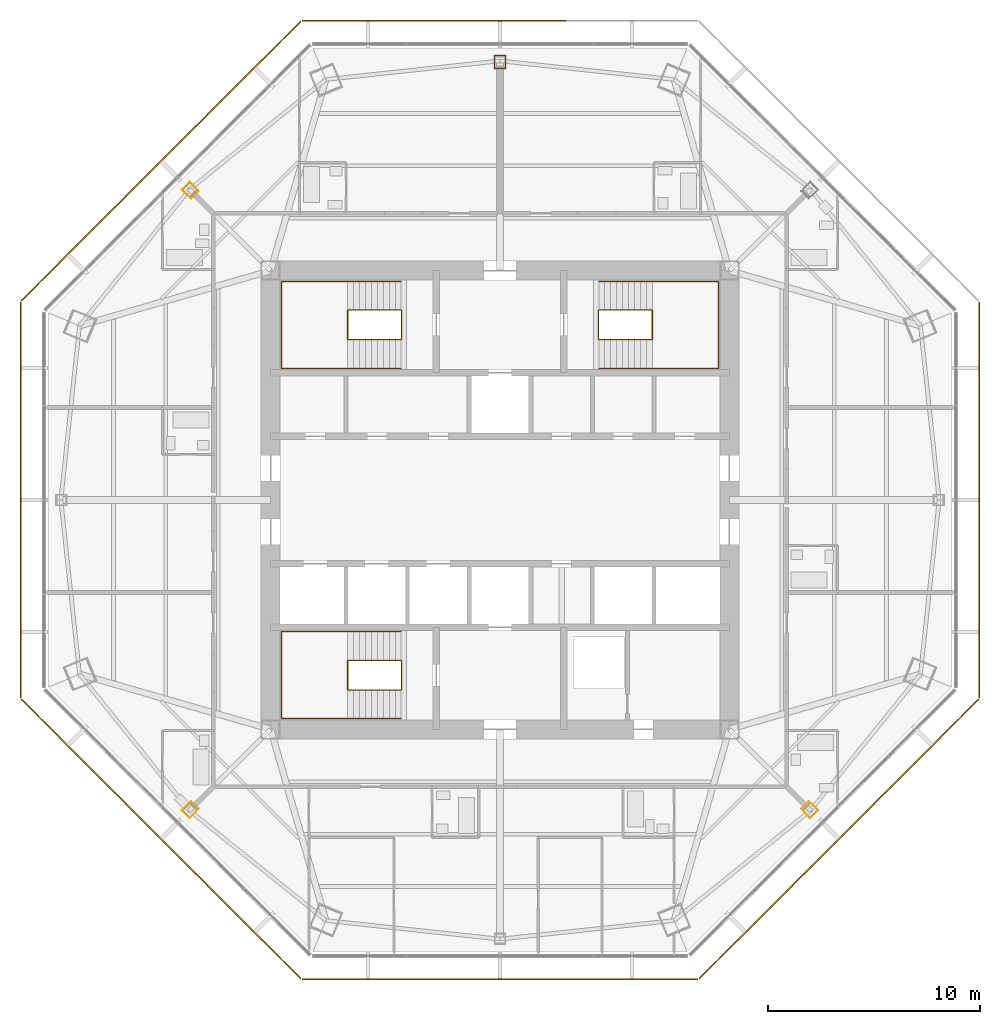
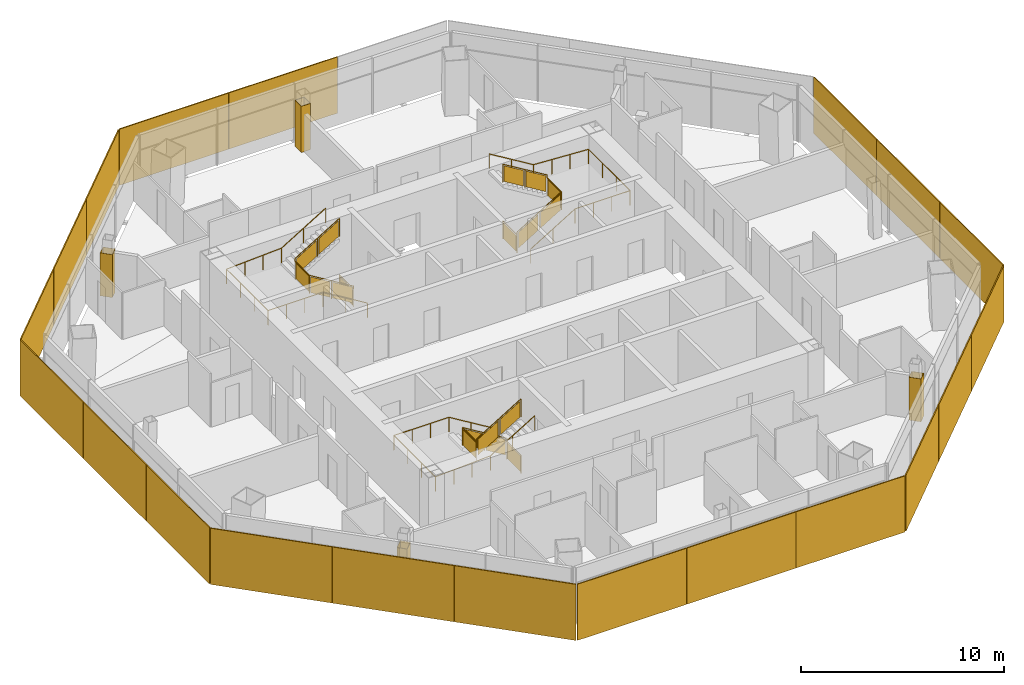
# One storey, part 13 of 15: 20 shading devices, 6 railings, 4 coverings.
"""IFC4 building model written with IfcOpenShell, lengths in metres."""

from ifc_helpers import new_model, si_unit, direction, frame, origin, origin_2d, place, context, subcontext, project, spatial, polyline, rectangle, circle, outline, extrude, source, transform, mapped, material, layer, layer_set, type_object, type_shapes, element, save


model = new_model("IFC4")

# Units and contexts
model_context = context("Model", 3, precision=1e-05, world=origin(), true_north=direction((0.0, 1.0)))
body_context = subcontext(model_context, "Body", "Model", "MODEL_VIEW")
ifc_project = project(units=[si_unit("LENGTHUNIT", "METRE"), si_unit("AREAUNIT", "SQUARE_METRE"), si_unit("VOLUMEUNIT", "CUBIC_METRE"), si_unit("PLANEANGLEUNIT", "RADIAN"), si_unit("MASSUNIT", "GRAM", prefix="KILO")], contexts=[model_context])

# Site, building, storey
site_placement = place(None, origin())
site = spatial("IfcSite", under=ifc_project, at=site_placement, CompositionType="ELEMENT")
building_placement = place(site_placement, origin())
building = spatial("IfcBuilding", under=site, at=building_placement, Name="Mashrafa Tower", CompositionType="ELEMENT")
storey_placement = place(building_placement, frame((0.0, 0.0, 231.199951171875)))
storey = spatial("IfcBuildingStorey", under=building, at=storey_placement, Name="L54", CompositionType="ELEMENT", Elevation=231.199951171875)

# Coverings
ifc_material_1 = material(Name="Gypsum board")
ifc_layer_1 = layer(ifc_material_1, 0.014892578125)
ifc_layer_set_1 = layer_set([ifc_layer_1], Name="Column casing plasterboard 15")
covering_type = type_object("IfcCoveringType", Name="Column casing plasterboard 15", PredefinedType="CLADDING", material=ifc_layer_set_1)
covering_1_placement = place(storey_placement, origin())
element("IfcCovering", 1, at=covering_1_placement, inside=storey, type_object=covering_type, Name="Column casing L54-002", PredefinedType="CLADDING", context=body_context, shape_type="SweptSolid", body=[
    extrude(outline(polyline([(-0.264892578125, 20.939453125), (0.264892578125, 20.939453125), (0.264892578125, 20.31298828125), (-0.264892578125, 20.31298828125), (-0.264892578125, 20.939453125)]), holes=[polyline([(0.25, 20.328125), (0.25, 20.924560546875), (-0.25, 20.924560546875), (-0.25, 20.328125), (0.25, 20.328125)])]), origin(), (0.0, 0.0, 1.0), 2.78369140625),
])
covering_2_placement = place(storey_placement, origin())
element("IfcCovering", 2, at=covering_2_placement, inside=storey, type_object=covering_type, Name="Column casing L54-003", PredefinedType="CLADDING", context=body_context, shape_type="SweptSolid", body=[
    extrude(outline(polyline([(-14.993896484375, 14.619140625), (-14.619140625, 14.993896484375), (-14.17626953125, 14.55078125), (-14.55078125, 14.17626953125), (-14.993896484375, 14.619140625)]), holes=[polyline([(-14.197509765625, 14.55078125), (-14.619140625, 14.97265625), (-14.97265625, 14.619140625), (-14.55078125, 14.197509765625), (-14.197509765625, 14.55078125)])]), origin(), (0.0, 0.0, 1.0), 2.5830078125),
])
covering_3_placement = place(storey_placement, origin())
element("IfcCovering", 3, at=covering_3_placement, inside=storey, type_object=covering_type, Name="Column casing L54-004", PredefinedType="CLADDING", context=body_context, shape_type="SweptSolid", body=[
    extrude(outline(polyline([(-14.993896484375, -14.619140625), (-14.55078125, -14.17626953125), (-14.17626953125, -14.55078125), (-14.619140625, -14.993896484375), (-14.993896484375, -14.619140625)]), holes=[polyline([(-14.197509765625, -14.55078125), (-14.55078125, -14.197509765625), (-14.97265625, -14.619140625), (-14.619140625, -14.97265625), (-14.197509765625, -14.55078125)])]), origin(), (0.0, 0.0, 1.0), 2.5830078125),
])
covering_4_placement = place(storey_placement, origin())
element("IfcCovering", 4, at=covering_4_placement, inside=storey, type_object=covering_type, Name="Column casing L54-005", PredefinedType="CLADDING", context=body_context, shape_type="SweptSolid", body=[
    extrude(outline(polyline([(14.17626953125, -14.55078125), (14.55078125, -14.17626953125), (14.993896484375, -14.619140625), (14.619140625, -14.993896484375), (14.17626953125, -14.55078125)]), holes=[polyline([(14.97265625, -14.619140625), (14.55078125, -14.197509765625), (14.197509765625, -14.55078125), (14.619140625, -14.97265625), (14.97265625, -14.619140625)])]), origin(), (0.0, 0.0, 1.0), 2.5830078125),
])

# Railings
ifc_material_2 = material(Name="Steel guard with glass infill", Category="steel")
railing_type_1 = type_object("IfcRailingType", Name="Stair guard 1100", PredefinedType="GUARDRAIL", material=ifc_material_2)
railing_1_placement = place(storey_placement, frame((-4.64990234375, 8.949951171875, 0.0)))
element("IfcRailing", 5, at=railing_1_placement, inside=storey, type_object=railing_type_1, Name="Stair S1 guard L54", PredefinedType="GUARDRAIL", context=body_context, shape_type="SweptSolid", body=[
    extrude(circle(Radius=0.02392578125, at=origin_2d()), frame((0.0, 0.0, 1.076171875), z_axis=(0.0, -1.0, 0.0), x_axis=(1.0, 0.0, 0.0)), (0.0, 0.0, 1.0), 1.39990234375),
    extrude(circle(Radius=0.02392578125, at=origin_2d()), frame((0.0, -1.39990234375, 1.076171875), z_axis=(0.0, 0.0, 1.0), x_axis=(1.0, 0.0, 0.0)), (0.0, 0.0, 1.0), 0.170166015625),
    extrude(circle(Radius=0.02392578125, at=origin_2d()), frame((0.0, -1.39990234375, 1.24609375), z_axis=(-0.854821627497, 0.0, 0.518921945155), x_axis=(0.0, -1.0, 0.0)), (0.0, 0.0, 1.0), 2.947998046875),
    extrude(circle(Radius=0.02392578125, at=origin_2d()), frame((-2.52001953125, -1.39990234375, 2.77587890625), z_axis=(0.0, 1.0, 0.0), x_axis=(-1.0, 0.0, 0.0)), (0.0, 0.0, 1.0), 1.39990234375),
    extrude(circle(Radius=0.02392578125, at=origin_2d()), frame((-2.52001953125, 0.0, 2.77587890625), z_axis=(0.0, 0.0, 1.0), x_axis=(1.0, 0.0, 0.0)), (0.0, 0.0, 1.0), 0.170166015625),
    extrude(circle(Radius=0.02392578125, at=origin_2d()), frame((-2.52001953125, 0.0, 2.9462890625), z_axis=(0.85478489116, 0.0, 0.518982456201), x_axis=(0.0, 1.0, 0.0)), (0.0, 0.0, 1.0), 2.9482421875),
    extrude(circle(Radius=0.02099609375, at=origin_2d()), origin(), (0.0, 0.0, 1.0), 1.052001953125),
    extrude(circle(Radius=0.02099609375, at=origin_2d()), frame((0.0, -1.39990234375, 0.0)), (0.0, 0.0, 1.0), 1.052001953125),
    extrude(circle(Radius=0.02099609375, at=origin_2d()), frame((0.0, -1.39990234375, 0.170166015625)), (0.0, 0.0, 1.0), 1.052001953125),
    extrude(circle(Radius=0.02099609375, at=origin_2d()), frame((-1.260009765625, -1.39990234375, 0.93505859375)), (0.0, 0.0, 1.0), 1.052001953125),
    extrude(circle(Radius=0.02099609375, at=origin_2d()), frame((-2.52001953125, -1.39990234375, 1.699951171875)), (0.0, 0.0, 1.0), 1.052001953125),
    extrude(circle(Radius=0.02099609375, at=origin_2d()), frame((-2.52001953125, 0.0, 1.699951171875)), (0.0, 0.0, 1.0), 1.052001953125),
    extrude(circle(Radius=0.02099609375, at=origin_2d()), frame((-2.52001953125, 0.0, 1.8701171875)), (0.0, 0.0, 1.0), 1.052001953125),
    extrude(circle(Radius=0.02099609375, at=origin_2d()), frame((-1.260009765625, 0.0, 2.63525390625)), (0.0, 0.0, 1.0), 1.052001953125),
    extrude(circle(Radius=0.02099609375, at=origin_2d()), frame((0.0, 0.0, 3.400146484375)), (0.0, 0.0, 1.0), 1.052001953125),
    extrude(outline(polyline([(0.071044921875, 0.050048828125), (1.328857421875, 0.050048828125), (1.328857421875, 1.001953125), (0.071044921875, 1.001953125), (0.071044921875, 0.050048828125)])), frame((-0.006103515625, 0.0, 0.0), z_axis=(-1.0, 0.0, 0.0), x_axis=(0.0, -1.0, 0.0)), (0.0, 0.0, 1.0), 0.011962890625),
    extrude(outline(polyline([(0.071044921875, 0.093017578125), (1.18896484375, 0.771728515625), (1.18896484375, 1.723876953125), (0.071044921875, 1.045166015625), (0.071044921875, 0.093017578125)])), frame((0.0, -1.393798828125, 0.170166015625), z_axis=(0.0, 1.0, 0.0), x_axis=(-1.0, 0.0, 0.0)), (0.0, 0.0, 1.0), 0.011962890625),
    extrude(outline(polyline([(1.3310546875, 0.85791015625), (2.448974609375, 1.53662109375), (2.448974609375, 2.48876953125), (1.3310546875, 1.81005859375), (1.3310546875, 0.85791015625)])), frame((0.0, -1.393798828125, 0.170166015625), z_axis=(0.0, 1.0, 0.0), x_axis=(-1.0, 0.0, 0.0)), (0.0, 0.0, 1.0), 0.011962890625),
    extrude(outline(polyline([(0.071044921875, 0.050048828125), (1.328857421875, 0.050048828125), (1.328857421875, 1.001953125), (0.071044921875, 1.001953125), (0.071044921875, 0.050048828125)])), frame((-2.513916015625, -1.39990234375, 1.699951171875), z_axis=(1.0, 0.0, 0.0), x_axis=(0.0, 1.0, 0.0)), (0.0, 0.0, 1.0), 0.011962890625),
    extrude(outline(polyline([(0.071044921875, 0.093017578125), (1.18896484375, 0.77197265625), (1.18896484375, 1.723876953125), (0.071044921875, 1.045166015625), (0.071044921875, 0.093017578125)])), frame((-2.52001953125, -0.006103515625, 1.8701171875), z_axis=(0.0, -1.0, 0.0), x_axis=(1.0, 0.0, 0.0)), (0.0, 0.0, 1.0), 0.011962890625),
    extrude(outline(polyline([(1.3310546875, 0.858154296875), (2.448974609375, 1.536865234375), (2.448974609375, 2.489013671875), (1.3310546875, 1.81005859375), (1.3310546875, 0.858154296875)])), frame((-2.52001953125, -0.006103515625, 1.8701171875), z_axis=(0.0, -1.0, 0.0), x_axis=(1.0, 0.0, 0.0)), (0.0, 0.0, 1.0), 0.011962890625),
])
railing_2_placement = place(storey_placement, frame((4.64990234375, 8.949951171875, 0.0)))
element("IfcRailing", 6, at=railing_2_placement, inside=storey, type_object=railing_type_1, Name="Stair S2 guard L54", PredefinedType="GUARDRAIL", context=body_context, shape_type="SweptSolid", body=[
    extrude(circle(Radius=0.02392578125, at=origin_2d()), frame((0.0, 0.0, 1.076171875), z_axis=(0.0, -1.0, 0.0), x_axis=(1.0, 0.0, 0.0)), (0.0, 0.0, 1.0), 1.39990234375),
    extrude(circle(Radius=0.02392578125, at=origin_2d()), frame((0.0, -1.39990234375, 1.076171875), z_axis=(0.0, 0.0, 1.0), x_axis=(1.0, 0.0, 0.0)), (0.0, 0.0, 1.0), 0.170166015625),
    extrude(circle(Radius=0.02392578125, at=origin_2d()), frame((0.0, -1.39990234375, 1.24609375), z_axis=(0.854821627497, 0.0, 0.518921945155), x_axis=(0.0, 1.0, 0.0)), (0.0, 0.0, 1.0), 2.947998046875),
    extrude(circle(Radius=0.02392578125, at=origin_2d()), frame((2.52001953125, -1.39990234375, 2.77587890625), z_axis=(0.0, 1.0, 0.0), x_axis=(-1.0, 0.0, 0.0)), (0.0, 0.0, 1.0), 1.39990234375),
    extrude(circle(Radius=0.02392578125, at=origin_2d()), frame((2.52001953125, 0.0, 2.77587890625), z_axis=(0.0, 0.0, 1.0), x_axis=(1.0, 0.0, 0.0)), (0.0, 0.0, 1.0), 0.170166015625),
    extrude(circle(Radius=0.02392578125, at=origin_2d()), frame((2.52001953125, 0.0, 2.9462890625), z_axis=(-0.85478489116, 0.0, 0.518982456201), x_axis=(0.0, -1.0, 0.0)), (0.0, 0.0, 1.0), 2.9482421875),
    extrude(circle(Radius=0.02099609375, at=origin_2d()), origin(), (0.0, 0.0, 1.0), 1.052001953125),
    extrude(circle(Radius=0.02099609375, at=origin_2d()), frame((0.0, -1.39990234375, 0.0)), (0.0, 0.0, 1.0), 1.052001953125),
    extrude(circle(Radius=0.02099609375, at=origin_2d()), frame((0.0, -1.39990234375, 0.170166015625)), (0.0, 0.0, 1.0), 1.052001953125),
    extrude(circle(Radius=0.02099609375, at=origin_2d()), frame((1.260009765625, -1.39990234375, 0.93505859375)), (0.0, 0.0, 1.0), 1.052001953125),
    extrude(circle(Radius=0.02099609375, at=origin_2d()), frame((2.52001953125, -1.39990234375, 1.699951171875)), (0.0, 0.0, 1.0), 1.052001953125),
    extrude(circle(Radius=0.02099609375, at=origin_2d()), frame((2.52001953125, 0.0, 1.699951171875)), (0.0, 0.0, 1.0), 1.052001953125),
    extrude(circle(Radius=0.02099609375, at=origin_2d()), frame((2.52001953125, 0.0, 1.8701171875)), (0.0, 0.0, 1.0), 1.052001953125),
    extrude(circle(Radius=0.02099609375, at=origin_2d()), frame((1.260009765625, 0.0, 2.63525390625)), (0.0, 0.0, 1.0), 1.052001953125),
    extrude(circle(Radius=0.02099609375, at=origin_2d()), frame((0.0, 0.0, 3.400146484375)), (0.0, 0.0, 1.0), 1.052001953125),
    extrude(outline(polyline([(0.071044921875, 0.050048828125), (1.328857421875, 0.050048828125), (1.328857421875, 1.001953125), (0.071044921875, 1.001953125), (0.071044921875, 0.050048828125)])), frame((-0.006103515625, 0.0, 0.0), z_axis=(-1.0, 0.0, 0.0), x_axis=(0.0, -1.0, 0.0)), (0.0, 0.0, 1.0), 0.011962890625),
    extrude(outline(polyline([(0.071044921875, 0.093017578125), (1.18896484375, 0.771728515625), (1.18896484375, 1.723876953125), (0.071044921875, 1.045166015625), (0.071044921875, 0.093017578125)])), frame((0.0, -1.406005859375, 0.170166015625), z_axis=(0.0, -1.0, 0.0), x_axis=(1.0, 0.0, 0.0)), (0.0, 0.0, 1.0), 0.011962890625),
    extrude(outline(polyline([(1.3310546875, 0.85791015625), (2.448974609375, 1.53662109375), (2.448974609375, 2.48876953125), (1.3310546875, 1.81005859375), (1.3310546875, 0.85791015625)])), frame((0.0, -1.406005859375, 0.170166015625), z_axis=(0.0, -1.0, 0.0), x_axis=(1.0, 0.0, 0.0)), (0.0, 0.0, 1.0), 0.011962890625),
    extrude(outline(polyline([(0.071044921875, 0.050048828125), (1.328857421875, 0.050048828125), (1.328857421875, 1.001953125), (0.071044921875, 1.001953125), (0.071044921875, 0.050048828125)])), frame((2.526123046875, -1.39990234375, 1.699951171875), z_axis=(1.0, 0.0, 0.0), x_axis=(0.0, 1.0, 0.0)), (0.0, 0.0, 1.0), 0.011962890625),
    extrude(outline(polyline([(0.071044921875, 0.093017578125), (1.18896484375, 0.77197265625), (1.18896484375, 1.723876953125), (0.071044921875, 1.045166015625), (0.071044921875, 0.093017578125)])), frame((2.52001953125, 0.006103515625, 1.8701171875), z_axis=(0.0, 1.0, 0.0), x_axis=(-1.0, 0.0, 0.0)), (0.0, 0.0, 1.0), 0.011962890625),
    extrude(outline(polyline([(1.3310546875, 0.858154296875), (2.448974609375, 1.536865234375), (2.448974609375, 2.489013671875), (1.3310546875, 1.81005859375), (1.3310546875, 0.858154296875)])), frame((2.52001953125, 0.006103515625, 1.8701171875), z_axis=(0.0, 1.0, 0.0), x_axis=(-1.0, 0.0, 0.0)), (0.0, 0.0, 1.0), 0.011962890625),
])
railing_3_placement = place(storey_placement, frame((-4.64990234375, -8.949951171875, 0.0)))
element("IfcRailing", 7, at=railing_3_placement, inside=storey, type_object=railing_type_1, Name="Stair S3 guard L54", PredefinedType="GUARDRAIL", context=body_context, shape_type="SweptSolid", body=[
    extrude(circle(Radius=0.02392578125, at=origin_2d()), frame((0.0, 0.0, 1.076171875), z_axis=(0.0, 1.0, 0.0), x_axis=(-1.0, 0.0, 0.0)), (0.0, 0.0, 1.0), 1.39990234375),
    extrude(circle(Radius=0.02392578125, at=origin_2d()), frame((0.0, 1.39990234375, 1.076171875), z_axis=(0.0, 0.0, 1.0), x_axis=(1.0, 0.0, 0.0)), (0.0, 0.0, 1.0), 0.170166015625),
    extrude(circle(Radius=0.02392578125, at=origin_2d()), frame((0.0, 1.39990234375, 1.24609375), z_axis=(-0.854821627497, 0.0, 0.518921945155), x_axis=(0.0, -1.0, 0.0)), (0.0, 0.0, 1.0), 2.947998046875),
    extrude(circle(Radius=0.02392578125, at=origin_2d()), frame((-2.52001953125, 1.39990234375, 2.77587890625), z_axis=(0.0, -1.0, 0.0), x_axis=(1.0, 0.0, 0.0)), (0.0, 0.0, 1.0), 1.39990234375),
    extrude(circle(Radius=0.02392578125, at=origin_2d()), frame((-2.52001953125, 0.0, 2.77587890625), z_axis=(0.0, 0.0, 1.0), x_axis=(1.0, 0.0, 0.0)), (0.0, 0.0, 1.0), 0.170166015625),
    extrude(circle(Radius=0.02392578125, at=origin_2d()), frame((-2.52001953125, 0.0, 2.9462890625), z_axis=(0.85478489116, 0.0, 0.518982456201), x_axis=(0.0, 1.0, 0.0)), (0.0, 0.0, 1.0), 2.9482421875),
    extrude(circle(Radius=0.02099609375, at=origin_2d()), origin(), (0.0, 0.0, 1.0), 1.052001953125),
    extrude(circle(Radius=0.02099609375, at=origin_2d()), frame((0.0, 1.39990234375, 0.0)), (0.0, 0.0, 1.0), 1.052001953125),
    extrude(circle(Radius=0.02099609375, at=origin_2d()), frame((0.0, 1.39990234375, 0.170166015625)), (0.0, 0.0, 1.0), 1.052001953125),
    extrude(circle(Radius=0.02099609375, at=origin_2d()), frame((-1.260009765625, 1.39990234375, 0.93505859375)), (0.0, 0.0, 1.0), 1.052001953125),
    extrude(circle(Radius=0.02099609375, at=origin_2d()), frame((-2.52001953125, 1.39990234375, 1.699951171875)), (0.0, 0.0, 1.0), 1.052001953125),
    extrude(circle(Radius=0.02099609375, at=origin_2d()), frame((-2.52001953125, 0.0, 1.699951171875)), (0.0, 0.0, 1.0), 1.052001953125),
    extrude(circle(Radius=0.02099609375, at=origin_2d()), frame((-2.52001953125, 0.0, 1.8701171875)), (0.0, 0.0, 1.0), 1.052001953125),
    extrude(circle(Radius=0.02099609375, at=origin_2d()), frame((-1.260009765625, 0.0, 2.63525390625)), (0.0, 0.0, 1.0), 1.052001953125),
    extrude(circle(Radius=0.02099609375, at=origin_2d()), frame((0.0, 0.0, 3.400146484375)), (0.0, 0.0, 1.0), 1.052001953125),
    extrude(outline(polyline([(0.071044921875, 0.050048828125), (1.328857421875, 0.050048828125), (1.328857421875, 1.001953125), (0.071044921875, 1.001953125), (0.071044921875, 0.050048828125)])), frame((0.006103515625, 0.0, 0.0), z_axis=(1.0, 0.0, 0.0), x_axis=(0.0, 1.0, 0.0)), (0.0, 0.0, 1.0), 0.011962890625),
    extrude(outline(polyline([(0.071044921875, 0.093017578125), (1.18896484375, 0.771728515625), (1.18896484375, 1.723876953125), (0.071044921875, 1.045166015625), (0.071044921875, 0.093017578125)])), frame((0.0, 1.406005859375, 0.170166015625), z_axis=(0.0, 1.0, 0.0), x_axis=(-1.0, 0.0, 0.0)), (0.0, 0.0, 1.0), 0.011962890625),
    extrude(outline(polyline([(1.3310546875, 0.85791015625), (2.448974609375, 1.53662109375), (2.448974609375, 2.48876953125), (1.3310546875, 1.81005859375), (1.3310546875, 0.85791015625)])), frame((0.0, 1.406005859375, 0.170166015625), z_axis=(0.0, 1.0, 0.0), x_axis=(-1.0, 0.0, 0.0)), (0.0, 0.0, 1.0), 0.011962890625),
    extrude(outline(polyline([(0.071044921875, 0.050048828125), (1.328857421875, 0.050048828125), (1.328857421875, 1.001953125), (0.071044921875, 1.001953125), (0.071044921875, 0.050048828125)])), frame((-2.526123046875, 1.39990234375, 1.699951171875), z_axis=(-1.0, 0.0, 0.0), x_axis=(0.0, -1.0, 0.0)), (0.0, 0.0, 1.0), 0.011962890625),
    extrude(outline(polyline([(0.071044921875, 0.093017578125), (1.18896484375, 0.77197265625), (1.18896484375, 1.723876953125), (0.071044921875, 1.045166015625), (0.071044921875, 0.093017578125)])), frame((-2.52001953125, -0.006103515625, 1.8701171875), z_axis=(0.0, -1.0, 0.0), x_axis=(1.0, 0.0, 0.0)), (0.0, 0.0, 1.0), 0.011962890625),
    extrude(outline(polyline([(1.3310546875, 0.858154296875), (2.448974609375, 1.536865234375), (2.448974609375, 2.489013671875), (1.3310546875, 1.81005859375), (1.3310546875, 0.858154296875)])), frame((-2.52001953125, -0.006103515625, 1.8701171875), z_axis=(0.0, -1.0, 0.0), x_axis=(1.0, 0.0, 0.0)), (0.0, 0.0, 1.0), 0.011962890625),
])
ifc_material_3 = material(Name="Steel", Category="steel")
railing_type_2 = type_object("IfcRailingType", Name="Stair handrail 900", PredefinedType="HANDRAIL", material=ifc_material_3)
railing_4_placement = place(storey_placement, frame((-4.64990234375, 6.199951171875, 0.170166015625)))
element("IfcRailing", 8, at=railing_4_placement, inside=storey, type_object=railing_type_2, Name="Stair S1 handrail L54", PredefinedType="HANDRAIL", context=body_context, shape_type="SweptSolid", body=[
    extrude(circle(Radius=0.02392578125, at=origin_2d()), frame((0.0, 0.0, 0.8759765625), z_axis=(-0.854821627497, 0.0, 0.518921945155), x_axis=(0.0, -1.0, 0.0)), (0.0, 0.0, 1.0), 2.947998046875),
    extrude(circle(Radius=0.02392578125, at=origin_2d()), frame((-2.52001953125, 0.0, 2.40576171875), z_axis=(-1.0, 0.0, 0.0), x_axis=(0.0, -1.0, 0.0)), (0.0, 0.0, 1.0), 3.130126953125),
    extrude(circle(Radius=0.02392578125, at=origin_2d()), frame((-5.650146484375, 0.0, 2.40576171875), z_axis=(0.0, 1.0, 0.0), x_axis=(-1.0, 0.0, 0.0)), (0.0, 0.0, 1.0), 4.10009765625),
    extrude(circle(Radius=0.02392578125, at=origin_2d()), frame((-5.650146484375, 4.10009765625, 2.40576171875), z_axis=(0.998525548763, 0.0, 0.054283777201), x_axis=(0.0, 1.0, 0.0)), (0.0, 0.0, 1.0), 3.134765625),
    extrude(circle(Radius=0.02392578125, at=origin_2d()), frame((-2.52001953125, 4.10009765625, 2.57568359375), z_axis=(0.85478489116, 0.0, 0.518982456201), x_axis=(0.0, 1.0, 0.0)), (0.0, 0.0, 1.0), 2.9482421875),
    extrude(circle(Radius=0.02099609375, at=origin_2d()), origin(), (0.0, 0.0, 1.0), 0.851806640625),
    extrude(circle(Radius=0.02099609375, at=origin_2d()), frame((-1.260009765625, 0.0, 0.764892578125)), (0.0, 0.0, 1.0), 0.851806640625),
    extrude(circle(Radius=0.02099609375, at=origin_2d()), frame((-2.52001953125, 0.0, 1.52978515625)), (0.0, 0.0, 1.0), 0.851806640625),
    extrude(circle(Radius=0.02099609375, at=origin_2d()), frame((-3.5634765625, 0.0, 1.52978515625)), (0.0, 0.0, 1.0), 0.851806640625),
    extrude(circle(Radius=0.02099609375, at=origin_2d()), frame((-4.606689453125, 0.0, 1.52978515625)), (0.0, 0.0, 1.0), 0.851806640625),
    extrude(circle(Radius=0.02099609375, at=origin_2d()), frame((-5.650146484375, 0.0, 1.52978515625)), (0.0, 0.0, 1.0), 0.851806640625),
    extrude(circle(Radius=0.02099609375, at=origin_2d()), frame((-5.650146484375, 1.36669921875, 1.52978515625)), (0.0, 0.0, 1.0), 0.851806640625),
    extrude(circle(Radius=0.02099609375, at=origin_2d()), frame((-5.650146484375, 2.7333984375, 1.52978515625)), (0.0, 0.0, 1.0), 0.851806640625),
    extrude(circle(Radius=0.02099609375, at=origin_2d()), frame((-5.650146484375, 4.10009765625, 1.52978515625)), (0.0, 0.0, 1.0), 0.851806640625),
    extrude(circle(Radius=0.02099609375, at=origin_2d()), frame((-4.606689453125, 4.10009765625, 1.58642578125)), (0.0, 0.0, 1.0), 0.851806640625),
    extrude(circle(Radius=0.02099609375, at=origin_2d()), frame((-3.5634765625, 4.10009765625, 1.643310546875)), (0.0, 0.0, 1.0), 0.851806640625),
    extrude(circle(Radius=0.02099609375, at=origin_2d()), frame((-2.52001953125, 4.10009765625, 1.699951171875)), (0.0, 0.0, 1.0), 0.851806640625),
    extrude(circle(Radius=0.02099609375, at=origin_2d()), frame((-1.260009765625, 4.10009765625, 2.46484375)), (0.0, 0.0, 1.0), 0.851806640625),
    extrude(circle(Radius=0.02099609375, at=origin_2d()), frame((0.0, 4.10009765625, 3.22998046875)), (0.0, 0.0, 1.0), 0.851806640625),
])
railing_5_placement = place(storey_placement, frame((4.64990234375, 6.199951171875, 0.170166015625)))
element("IfcRailing", 9, at=railing_5_placement, inside=storey, type_object=railing_type_2, Name="Stair S2 handrail L54", PredefinedType="HANDRAIL", context=body_context, shape_type="SweptSolid", body=[
    extrude(circle(Radius=0.02392578125, at=origin_2d()), frame((0.0, 0.0, 0.8759765625), z_axis=(0.854821627497, 0.0, 0.518921945155), x_axis=(0.0, 1.0, 0.0)), (0.0, 0.0, 1.0), 2.947998046875),
    extrude(circle(Radius=0.02392578125, at=origin_2d()), frame((2.52001953125, 0.0, 2.40576171875), z_axis=(1.0, 0.0, 0.0), x_axis=(0.0, 1.0, 0.0)), (0.0, 0.0, 1.0), 3.130126953125),
    extrude(circle(Radius=0.02392578125, at=origin_2d()), frame((5.650146484375, 0.0, 2.40576171875), z_axis=(0.0, 1.0, 0.0), x_axis=(-1.0, 0.0, 0.0)), (0.0, 0.0, 1.0), 4.10009765625),
    extrude(circle(Radius=0.02392578125, at=origin_2d()), frame((5.650146484375, 4.10009765625, 2.40576171875), z_axis=(-0.998525548763, 0.0, 0.054283777201), x_axis=(0.0, -1.0, 0.0)), (0.0, 0.0, 1.0), 3.134765625),
    extrude(circle(Radius=0.02392578125, at=origin_2d()), frame((2.52001953125, 4.10009765625, 2.57568359375), z_axis=(-0.85478489116, 0.0, 0.518982456201), x_axis=(0.0, -1.0, 0.0)), (0.0, 0.0, 1.0), 2.9482421875),
    extrude(circle(Radius=0.02099609375, at=origin_2d()), origin(), (0.0, 0.0, 1.0), 0.851806640625),
    extrude(circle(Radius=0.02099609375, at=origin_2d()), frame((1.260009765625, 0.0, 0.764892578125)), (0.0, 0.0, 1.0), 0.851806640625),
    extrude(circle(Radius=0.02099609375, at=origin_2d()), frame((2.52001953125, 0.0, 1.52978515625)), (0.0, 0.0, 1.0), 0.851806640625),
    extrude(circle(Radius=0.02099609375, at=origin_2d()), frame((3.5634765625, 0.0, 1.52978515625)), (0.0, 0.0, 1.0), 0.851806640625),
    extrude(circle(Radius=0.02099609375, at=origin_2d()), frame((4.606689453125, 0.0, 1.52978515625)), (0.0, 0.0, 1.0), 0.851806640625),
    extrude(circle(Radius=0.02099609375, at=origin_2d()), frame((5.650146484375, 0.0, 1.52978515625)), (0.0, 0.0, 1.0), 0.851806640625),
    extrude(circle(Radius=0.02099609375, at=origin_2d()), frame((5.650146484375, 1.36669921875, 1.52978515625)), (0.0, 0.0, 1.0), 0.851806640625),
    extrude(circle(Radius=0.02099609375, at=origin_2d()), frame((5.650146484375, 2.7333984375, 1.52978515625)), (0.0, 0.0, 1.0), 0.851806640625),
    extrude(circle(Radius=0.02099609375, at=origin_2d()), frame((5.650146484375, 4.10009765625, 1.52978515625)), (0.0, 0.0, 1.0), 0.851806640625),
    extrude(circle(Radius=0.02099609375, at=origin_2d()), frame((4.606689453125, 4.10009765625, 1.58642578125)), (0.0, 0.0, 1.0), 0.851806640625),
    extrude(circle(Radius=0.02099609375, at=origin_2d()), frame((3.5634765625, 4.10009765625, 1.643310546875)), (0.0, 0.0, 1.0), 0.851806640625),
    extrude(circle(Radius=0.02099609375, at=origin_2d()), frame((2.52001953125, 4.10009765625, 1.699951171875)), (0.0, 0.0, 1.0), 0.851806640625),
    extrude(circle(Radius=0.02099609375, at=origin_2d()), frame((1.260009765625, 4.10009765625, 2.46484375)), (0.0, 0.0, 1.0), 0.851806640625),
    extrude(circle(Radius=0.02099609375, at=origin_2d()), frame((0.0, 4.10009765625, 3.22998046875)), (0.0, 0.0, 1.0), 0.851806640625),
])
railing_6_placement = place(storey_placement, frame((-4.64990234375, -6.199951171875, 0.170166015625)))
element("IfcRailing", 10, at=railing_6_placement, inside=storey, type_object=railing_type_2, Name="Stair S3 handrail L54", PredefinedType="HANDRAIL", context=body_context, shape_type="SweptSolid", body=[
    extrude(circle(Radius=0.02392578125, at=origin_2d()), frame((0.0, 0.0, 0.8759765625), z_axis=(-0.854821627497, 0.0, 0.518921945155), x_axis=(0.0, -1.0, 0.0)), (0.0, 0.0, 1.0), 2.947998046875),
    extrude(circle(Radius=0.02392578125, at=origin_2d()), frame((-2.52001953125, 0.0, 2.40576171875), z_axis=(-1.0, 0.0, 0.0), x_axis=(0.0, -1.0, 0.0)), (0.0, 0.0, 1.0), 3.130126953125),
    extrude(circle(Radius=0.02392578125, at=origin_2d()), frame((-5.650146484375, 0.0, 2.40576171875), z_axis=(0.0, -1.0, 0.0), x_axis=(1.0, 0.0, 0.0)), (0.0, 0.0, 1.0), 4.10009765625),
    extrude(circle(Radius=0.02392578125, at=origin_2d()), frame((-5.650146484375, -4.10009765625, 2.40576171875), z_axis=(0.998525548763, 0.0, 0.054283777201), x_axis=(0.0, 1.0, 0.0)), (0.0, 0.0, 1.0), 3.134765625),
    extrude(circle(Radius=0.02392578125, at=origin_2d()), frame((-2.52001953125, -4.10009765625, 2.57568359375), z_axis=(0.85478489116, 0.0, 0.518982456201), x_axis=(0.0, 1.0, 0.0)), (0.0, 0.0, 1.0), 2.9482421875),
    extrude(circle(Radius=0.02099609375, at=origin_2d()), origin(), (0.0, 0.0, 1.0), 0.851806640625),
    extrude(circle(Radius=0.02099609375, at=origin_2d()), frame((-1.260009765625, 0.0, 0.764892578125)), (0.0, 0.0, 1.0), 0.851806640625),
    extrude(circle(Radius=0.02099609375, at=origin_2d()), frame((-2.52001953125, 0.0, 1.52978515625)), (0.0, 0.0, 1.0), 0.851806640625),
    extrude(circle(Radius=0.02099609375, at=origin_2d()), frame((-3.5634765625, 0.0, 1.52978515625)), (0.0, 0.0, 1.0), 0.851806640625),
    extrude(circle(Radius=0.02099609375, at=origin_2d()), frame((-4.606689453125, 0.0, 1.52978515625)), (0.0, 0.0, 1.0), 0.851806640625),
    extrude(circle(Radius=0.02099609375, at=origin_2d()), frame((-5.650146484375, 0.0, 1.52978515625)), (0.0, 0.0, 1.0), 0.851806640625),
    extrude(circle(Radius=0.02099609375, at=origin_2d()), frame((-5.650146484375, -1.36669921875, 1.52978515625)), (0.0, 0.0, 1.0), 0.851806640625),
    extrude(circle(Radius=0.02099609375, at=origin_2d()), frame((-5.650146484375, -2.7333984375, 1.52978515625)), (0.0, 0.0, 1.0), 0.851806640625),
    extrude(circle(Radius=0.02099609375, at=origin_2d()), frame((-5.650146484375, -4.10009765625, 1.52978515625)), (0.0, 0.0, 1.0), 0.851806640625),
    extrude(circle(Radius=0.02099609375, at=origin_2d()), frame((-4.606689453125, -4.10009765625, 1.58642578125)), (0.0, 0.0, 1.0), 0.851806640625),
    extrude(circle(Radius=0.02099609375, at=origin_2d()), frame((-3.5634765625, -4.10009765625, 1.643310546875)), (0.0, 0.0, 1.0), 0.851806640625),
    extrude(circle(Radius=0.02099609375, at=origin_2d()), frame((-2.52001953125, -4.10009765625, 1.699951171875)), (0.0, 0.0, 1.0), 0.851806640625),
    extrude(circle(Radius=0.02099609375, at=origin_2d()), frame((-1.260009765625, -4.10009765625, 2.46484375)), (0.0, 0.0, 1.0), 0.851806640625),
    extrude(circle(Radius=0.02099609375, at=origin_2d()), frame((0.0, -4.10009765625, 3.22998046875)), (0.0, 0.0, 1.0), 0.851806640625),
])

# Shading devices
ifc_material_4 = material(Name="Perforated aluminium plate, eight-point star pattern", Category="aluminium")
ifc_layer_2 = layer(ifc_material_4, 0.06005859375)
ifc_layer_set_2 = layer_set([ifc_layer_2], Name="Mashrabiya screen panel apartment zone 3, 28 percent open")
shading_device_type = type_object("IfcShadingDeviceType", Name="Mashrabiya screen panel apartment zone 3, 28 percent open", PredefinedType="SHUTTER", material=ifc_layer_set_2)
shared_shape = source(origin(), body_context, "Body", "SweptSolid", [
    extrude(rectangle(XDim=6.19873046875, YDim=0.06005859375, at=origin_2d()), origin(), (0.0, 0.0, 1.0), 3.3798828125),
])
type_shapes(shading_device_type, [shared_shape])
for number, where, z_axis, x_axis, name in (
    (11, (22.574462890625, -6.21875, -0.14990234375), (0.0, 0.0, 1.0), (0.0, 1.0, 0.0), "Mashrabiya screen L54 east 1"),
    (12, (22.574462890625, 0.0, -0.14990234375), (0.0, 0.0, 1.0), (0.0, 1.0, 0.0), "Mashrabiya screen L54 east 2"),
    (13, (22.574462890625, 6.21875, -0.14990234375), (0.0, 0.0, 1.0), (0.0, 1.0, 0.0), "Mashrabiya screen L54 east 3"),
    (14, (0.0, 22.574462890625, -0.14990234375), (0.0, 0.0, 1.0), (-1.0, 0.0, 0.0), "Mashrabiya screen L54 north 2"),
    (15, (-6.21875, 22.574462890625, -0.14990234375), (0.0, 0.0, 1.0), (-1.0, 0.0, 0.0), "Mashrabiya screen L54 north 3"),
    (16, (-11.565185546875, 20.35986328125, -0.14990234375), (0.0, 0.0, 1.0), (-0.707106781187, -0.707106781187, 0.0), "Mashrabiya screen L54 north-west 1"),
    (17, (-15.96240234375, 15.96240234375, -0.14990234375), (0.0, 0.0, 1.0), (-0.707106781187, -0.707106781187, 0.0), "Mashrabiya screen L54 north-west 2"),
    (18, (-20.35986328125, 11.565185546875, -0.14990234375), (0.0, 0.0, 1.0), (-0.707106781187, -0.707106781187, 0.0), "Mashrabiya screen L54 north-west 3"),
    (19, (-22.574462890625, 6.21875, -0.14990234375), (0.0, 0.0, 1.0), (0.0, -1.0, 0.0), "Mashrabiya screen L54 west 1"),
    (20, (-22.574462890625, 0.0, -0.14990234375), (0.0, 0.0, 1.0), (0.0, -1.0, 0.0), "Mashrabiya screen L54 west 2"),
    (21, (-22.574462890625, -6.21875, -0.14990234375), (0.0, 0.0, 1.0), (0.0, -1.0, 0.0), "Mashrabiya screen L54 west 3"),
    (22, (-20.35986328125, -11.565185546875, -0.14990234375), (0.0, 0.0, 1.0), (0.707106781187, -0.707106781187, 0.0), "Mashrabiya screen L54 south-west 1"),
    (23, (-15.96240234375, -15.96240234375, -0.14990234375), (0.0, 0.0, 1.0), (0.707106781187, -0.707106781187, 0.0), "Mashrabiya screen L54 south-west 2"),
    (24, (-11.565185546875, -20.35986328125, -0.14990234375), (0.0, 0.0, 1.0), (0.707106781187, -0.707106781187, 0.0), "Mashrabiya screen L54 south-west 3"),
    (25, (-6.21875, -22.574462890625, -0.14990234375), (0.0, 0.0, 1.0), (1.0, 0.0, 0.0), "Mashrabiya screen L54 south 1"),
    (26, (0.0, -22.574462890625, -0.14990234375), (0.0, 0.0, 1.0), (1.0, 0.0, 0.0), "Mashrabiya screen L54 south 2"),
    (27, (6.21875, -22.574462890625, -0.14990234375), (0.0, 0.0, 1.0), (1.0, 0.0, 0.0), "Mashrabiya screen L54 south 3"),
    (28, (11.565185546875, -20.35986328125, -0.14990234375), (0.0, 0.0, 1.0), (0.707106781187, 0.707106781187, 0.0), "Mashrabiya screen L54 south-east 1"),
    (29, (15.96240234375, -15.96240234375, -0.14990234375), (0.0, 0.0, 1.0), (0.707106781187, 0.707106781187, 0.0), "Mashrabiya screen L54 south-east 2"),
    (30, (20.35986328125, -11.565185546875, -0.14990234375), (0.0, 0.0, 1.0), (0.707106781187, 0.707106781187, 0.0), "Mashrabiya screen L54 south-east 3"),
):
    element("IfcShadingDevice", number, at=place(storey_placement, frame(where, z_axis=z_axis, x_axis=x_axis)), inside=storey, type_object=shading_device_type, Name=name, PredefinedType="SHUTTER", context=body_context, shape_type="MappedRepresentation", body=[
        mapped(shared_shape, transform((0.0, 0.0, 0.0))),
    ])

save(model, "model.ifc")
